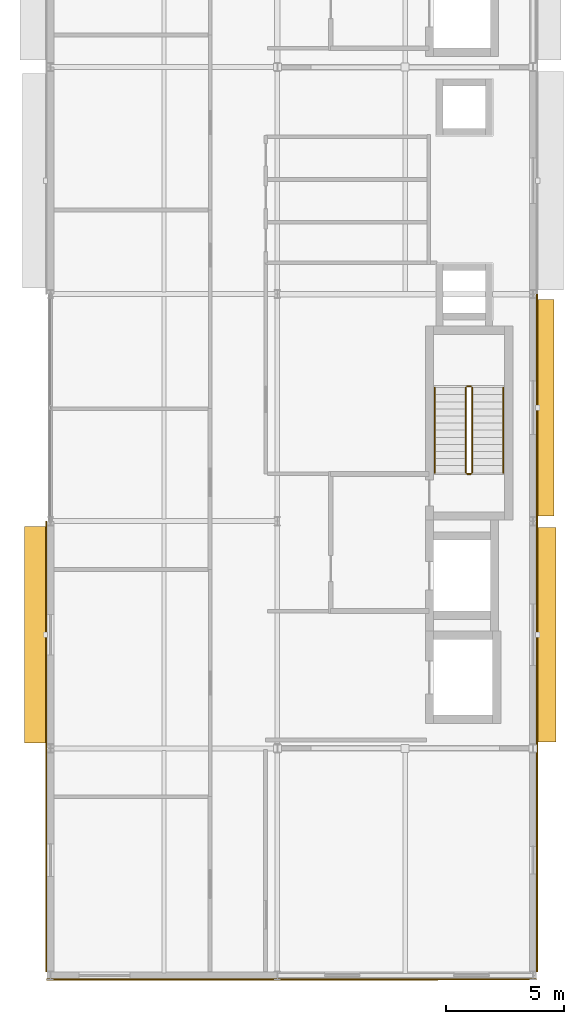
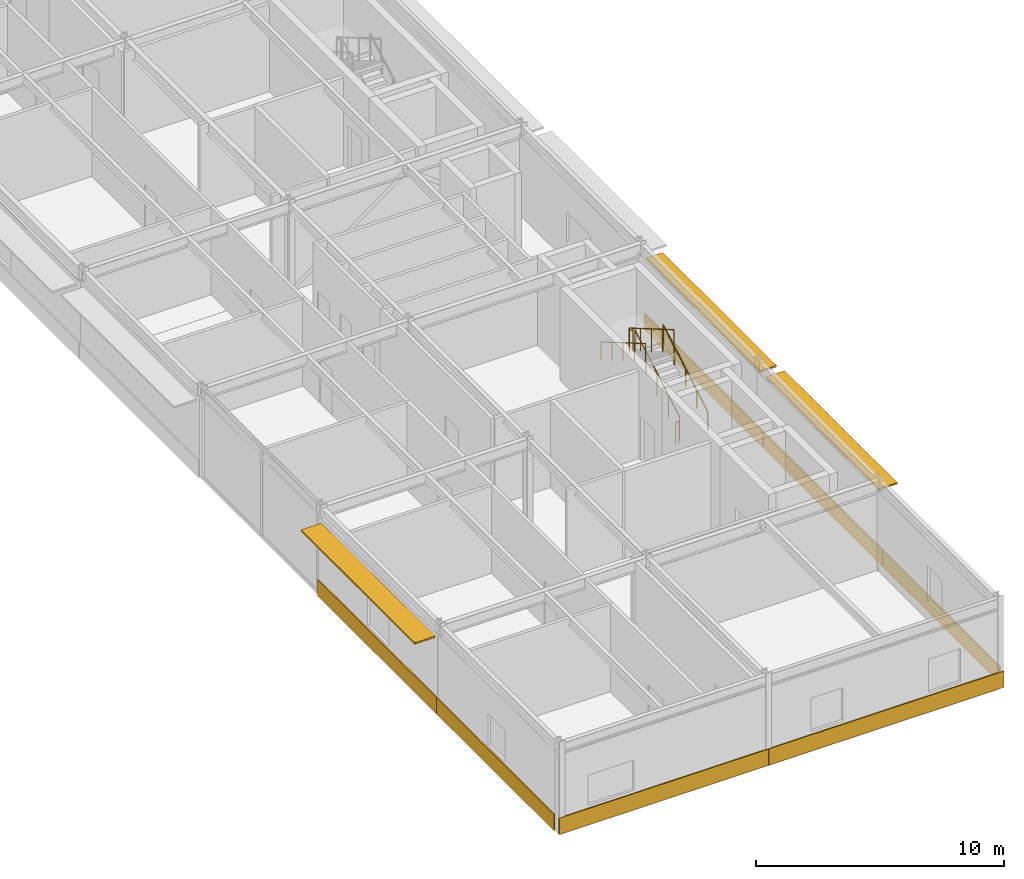
# One storey, part 15 of 17: 7 coverings, 6 railings, 3 shading devices.
"""IFC4 building model written with IfcOpenShell, lengths in metres."""

import ifcopenshell
import ifcopenshell.guid

model = None  # the IFC model being written
_history = None  # IfcOwnerHistory: only IFC2X3 demands one
_inside = {}  # id of a spatial element -> (the spatial element, [elements in it])
_under = {}  # id of a project, library or spatial element -> (it, [spatial elements below it])
_declared = {}  # id of a project -> (the project, [libraries it declares])
_typed = {}  # id of a type object -> (the type object, [elements of that type])
_made_of = {}  # id of a material, layer set ... -> (it, [elements and type objects made of it])


def new_model(schema):
    """Start an empty IFC model of exactly this schema.

    Asked for "IFC4X3", IfcOpenShell would pick the latest addendum, in which some entities
    have other attributes; the version numbers below select the first issue.
    IFC2X3 requires an IfcOwnerHistory on every rooted entity: one is made here for all.
    """
    global model, _history
    if schema == "IFC4X3":
        model = ifcopenshell.file(schema_version=(4, 3, 0, 0))
    else:
        model = ifcopenshell.file(schema=schema)
    _inside.clear()
    _under.clear()
    _declared.clear()
    _typed.clear()
    _made_of.clear()
    _history = None
    if model.schema == "IFC2X3":
        org = make("IfcOrganization", Name="unknown")
        user = make(
            "IfcPersonAndOrganization",
            ThePerson=make("IfcPerson", FamilyName="unknown"),
            TheOrganization=org,
        )
        app = make(
            "IfcApplication",
            ApplicationDeveloper=org,
            Version="unknown",
            ApplicationFullName="unknown",
            ApplicationIdentifier="unknown",
        )
        _history = make(
            "IfcOwnerHistory",
            OwningUser=user,
            OwningApplication=app,
            ChangeAction="ADDED",
            CreationDate=0,
        )
    return model


def make(cls, **values):
    """One entity of the class cls with the attributes given. An attribute that is None is left unset."""
    return model.create_entity(
        cls, **{name: value for name, value in values.items() if value is not None}
    )


def rooted(cls, **values):
    """An entity with a GlobalId (a new one), such as an element, a storey or a relation."""
    return make(cls, GlobalId=ifcopenshell.guid.new(), OwnerHistory=_history, **values)


def si_unit(unit_type, name, prefix=None):
    """IfcSIUnit, for example si_unit("LENGTHUNIT", "METRE", prefix="MILLI")."""
    return make("IfcSIUnit", UnitType=unit_type, Prefix=prefix, Name=name)


def assignment(units):
    """IfcUnitAssignment: the units of a project."""
    return None if units is None else make("IfcUnitAssignment", Units=units)


def point(xyz):
    """IfcCartesianPoint."""
    return None if xyz is None else make("IfcCartesianPoint", Coordinates=xyz)


def direction(xyz):
    """IfcDirection."""
    return None if xyz is None else make("IfcDirection", DirectionRatios=xyz)


def frame(location, z_axis=None, x_axis=None):
    """IfcAxis2Placement3D, a coordinate frame: its origin and axes. An axis left out is left unset."""
    return make(
        "IfcAxis2Placement3D",
        Location=point(location),
        Axis=direction(z_axis),
        RefDirection=direction(x_axis),
    )


def frame_2d(location, x_axis=None):
    """IfcAxis2Placement2D, a coordinate frame in the plane: its origin and x axis."""
    return make(
        "IfcAxis2Placement2D", Location=point(location), RefDirection=direction(x_axis)
    )


def origin():
    """The frame at (0, 0, 0) with its axes left unset."""
    return frame((0.0, 0.0, 0.0))


def origin_2d():
    """The frame at (0, 0) in the plane with its x axis left unset."""
    return frame_2d((0.0, 0.0))


def place(relative_to, where):
    """IfcLocalPlacement: puts the frame where relative to a parent placement (None: the world)."""
    return make(
        "IfcLocalPlacement", PlacementRelTo=relative_to, RelativePlacement=where
    )


def context(
    kind, dimensions, precision=None, world=None, true_north=None, identifier=None
):
    """IfcGeometricRepresentationContext, for example the 3D "Model" context."""
    return make(
        "IfcGeometricRepresentationContext",
        ContextIdentifier=identifier,
        ContextType=kind,
        CoordinateSpaceDimension=dimensions,
        Precision=precision,
        WorldCoordinateSystem=world,
        TrueNorth=true_north,
    )


def subcontext(parent, identifier, kind, view, scale=None):
    """IfcGeometricRepresentationSubContext, for example "Body" below "Model"."""
    return make(
        "IfcGeometricRepresentationSubContext",
        ContextIdentifier=identifier,
        ContextType=kind,
        ParentContext=parent,
        TargetScale=scale,
        TargetView=view,
    )


def project(units=None, contexts=None):
    """IfcProject with its units and contexts."""
    return rooted(
        "IfcProject",
        Name="project",
        RepresentationContexts=contexts,
        UnitsInContext=assignment(units),
    )


def spatial(cls, under=None, at=None, **own):
    """A site, building, storey or space (cls), placed at a placement, below another one or the project."""
    s = rooted(cls, ObjectPlacement=at, **own)
    if under is not None:
        _under.setdefault(under.id(), (under, []))[1].append(s)
    return s


def profile(cls, at=None, kind="AREA", **sizes):
    """A parametric profile (cls). Its sizes go by their IFC names, for example OverallWidth=200.0."""
    return make(cls, ProfileType=kind, Position=at, **sizes)


def rectangle(**sizes):
    """IfcRectangleProfileDef."""
    return profile("IfcRectangleProfileDef", **sizes)


def circle(**sizes):
    """IfcCircleProfileDef."""
    return profile("IfcCircleProfileDef", **sizes)


def extrude(swept, where, along, depth):
    """IfcExtrudedAreaSolid: the profile swept, set in the frame where, extruded along a direction by depth."""
    return make(
        "IfcExtrudedAreaSolid",
        SweptArea=swept,
        Position=where,
        ExtrudedDirection=direction(along),
        Depth=depth,
    )


def shape(context_of_items, identifier, shape_type, items):
    """IfcShapeRepresentation: the items that make up one representation, for example the "Body"."""
    return make(
        "IfcShapeRepresentation",
        ContextOfItems=context_of_items,
        RepresentationIdentifier=identifier,
        RepresentationType=shape_type,
        Items=items,
    )


def material(Name=None, Category=None):
    """IfcMaterial."""
    return make("IfcMaterial", Name=Name, Category=Category)


def layer(
    of_material, thickness, ventilated=None, Name=None, Category=None, Priority=None
):
    """IfcMaterialLayer: one layer of a wall or slab, of a material (None: an air gap)."""
    return make(
        "IfcMaterialLayer",
        Material=of_material,
        LayerThickness=thickness,
        IsVentilated=ventilated,
        Name=Name,
        Category=Category,
        Priority=Priority,
    )


def layer_set(layers, Name=None):
    """IfcMaterialLayerSet."""
    return make("IfcMaterialLayerSet", MaterialLayers=layers, LayerSetName=Name)


def made_of(thing, what):
    """Note that an element or type object is made of a material, layer set ...; save() writes the relation."""
    if what is not None:
        _made_of.setdefault(what.id(), (what, []))[1].append(thing)
    return thing


def type_object(cls, material=None, **own):
    """A type object (cls), such as IfcWallType, which elements share."""
    return made_of(rooted(cls, **own), material)


def element(
    cls,
    number,
    at=None,
    inside=None,
    cuts=None,
    type_object=None,
    material=None,
    context=None,
    identifier="Body",
    shape_type=None,
    held_by="IfcProductDefinitionShape",
    body=None,
    shapes=None,
    **own,
):
    """One element of the class cls, such as IfcWall. Its Tag is "e" and its number.

    at: its placement. inside: the storey or other place that contains it. cuts: it is an
    opening in that element (IfcRelVoidsElement). A single representation is given by context,
    identifier, shape_type and body (its items); several are given by shapes. held_by: the class
    of the entity that holds the representations. save() writes the other relations.
    """
    e = rooted(cls, Tag="e%d" % number, ObjectPlacement=at, **own)
    if body is not None:
        shapes = [shape(context, identifier, shape_type, body)]
    if shapes is not None:
        e.Representation = make(held_by, Representations=shapes)
    if inside is not None:
        _inside.setdefault(inside.id(), (inside, []))[1].append(e)
    if cuts is not None:
        rooted(
            "IfcRelVoidsElement", RelatingBuildingElement=cuts, RelatedOpeningElement=e
        )
    if type_object is not None:
        _typed.setdefault(type_object.id(), (type_object, []))[1].append(e)
    return made_of(e, material)


def aggregate(whole, parts):
    """IfcRelAggregates: a whole, such as a stair, and the parts it consists of."""
    return rooted("IfcRelAggregates", RelatingObject=whole, RelatedObjects=parts)


def save(model, path):
    """Write the relations noted so far, then the file.

    IfcRelAggregates (storeys below a building ...), IfcRelContainedInSpatialStructure (elements
    in a storey), IfcRelDefinesByType, IfcRelAssociatesMaterial and IfcRelDeclares: one each for
    every whole, place, type object, material and project.
    """
    for whole, parts in _under.values():
        aggregate(whole, parts)
    for where, things in _inside.values():
        rooted(
            "IfcRelContainedInSpatialStructure",
            RelatedElements=things,
            RelatingStructure=where,
        )
    for kind, things in _typed.values():
        rooted("IfcRelDefinesByType", RelatedObjects=things, RelatingType=kind)
    for what, things in _made_of.values():
        rooted("IfcRelAssociatesMaterial", RelatedObjects=things, RelatingMaterial=what)
    for by, libraries in _declared.values():
        rooted("IfcRelDeclares", RelatingContext=by, RelatedDefinitions=libraries)
    model.write(path)


model = new_model("IFC4")

# Units and contexts
model_context = context("Model", 3, precision=1e-05, world=origin(), true_north=direction((0.0, 1.0)))
body_context = subcontext(model_context, "Body", "Model", "MODEL_VIEW")
ifc_project = project(units=[si_unit("LENGTHUNIT", "METRE"), si_unit("AREAUNIT", "SQUARE_METRE"), si_unit("VOLUMEUNIT", "CUBIC_METRE"), si_unit("PLANEANGLEUNIT", "RADIAN"), si_unit("MASSUNIT", "GRAM", prefix="KILO")], contexts=[model_context])

# Site, building, storey
site_placement = place(None, origin())
site = spatial("IfcSite", under=ifc_project, at=site_placement, CompositionType="ELEMENT")
building_placement = place(site_placement, origin())
building = spatial("IfcBuilding", under=site, at=building_placement, Name="Almandine Court Research Institute", CompositionType="ELEMENT")
storey_placement = place(building_placement, frame((0.0, 0.0, 32.550048828125)))
storey = spatial("IfcBuildingStorey", under=building, at=storey_placement, Name="L07", CompositionType="ELEMENT", Elevation=32.550048828125)

# Coverings
ifc_material_1 = material(Name="Extruded Cream-Ochre Seismic Terracotta Spandrel", Category="masonry")
ifc_layer_1 = layer(ifc_material_1, 0.054931640625)
ifc_layer_set_1 = layer_set([ifc_layer_1], Name="Extruded Cream-Ochre Seismic Terracotta Spandrel")
covering_type = type_object("IfcCoveringType", Name="Cov-CLAD-TERR", PredefinedType="CLADDING", material=ifc_layer_set_1)
covering_1_placement = place(storey_placement, frame((153.428955078125, 10.873046875, 0.02001953125), z_axis=(0.0, 0.0, 1.0), x_axis=(0.0, 1.0, 0.0)))
element("IfcCovering", 1, at=covering_1_placement, inside=storey, type_object=covering_type, Name="L07 Facade Spandrel Cladding Band 214", PredefinedType="CLADDING", context=body_context, shape_type="SweptSolid", body=[
    extrude(rectangle(XDim=9.447021484375, YDim=0.054931640625, at=origin_2d()), origin(), (0.0, 0.0, 1.0), 0.800048828125),
])
for number, where, z_axis, x_axis, name in (
    (2, (153.428955078125, 20.39990234375, 0.02001953125), (0.0, 0.0, 1.0), (0.0, 1.0, 0.0), "L07 Facade Spandrel Cladding Band 215"),
    (3, (174.1708984375, 30.0, 0.02001953125), (0.0, 0.0, 1.0), (0.0, -1.0, 0.0), "L07 Facade Spandrel Cladding Band 223"),
    (4, (174.1708984375, 20.39990234375, 0.02001953125), (0.0, 0.0, 1.0), (0.0, -1.0, 0.0), "L07 Facade Spandrel Cladding Band 224"),
):
    element("IfcCovering", number, at=place(storey_placement, frame(where, z_axis=z_axis, x_axis=x_axis)), inside=storey, type_object=covering_type, Name=name, PredefinedType="CLADDING", context=body_context, shape_type="SweptSolid", body=[
        extrude(rectangle(XDim=9.592041015625, YDim=0.054931640625, at=origin_2d()), origin(), (0.0, 0.0, 1.0), 0.800048828125),
    ])
covering_2_placement = place(storey_placement, frame((174.1708984375, 10.873046875, 0.02001953125), z_axis=(0.0, 0.0, 1.0), x_axis=(0.0, -1.0, 0.0)))
element("IfcCovering", 5, at=covering_2_placement, inside=storey, type_object=covering_type, Name="L07 Facade Spandrel Cladding Band 225", PredefinedType="CLADDING", context=body_context, shape_type="SweptSolid", body=[
    extrude(rectangle(XDim=9.447021484375, YDim=0.054931640625, at=origin_2d()), origin(), (0.0, 0.0, 1.0), 0.800048828125),
])
covering_3_placement = place(storey_placement, frame((168.675048828125, 5.830078125, 0.02001953125), z_axis=(0.0, 0.0, 1.0), x_axis=(-1.0, 0.0, 0.0)))
element("IfcCovering", 6, at=covering_3_placement, inside=storey, type_object=covering_type, Name="L07 Facade Spandrel Cladding Band 226", PredefinedType="CLADDING", context=body_context, shape_type="SweptSolid", body=[
    extrude(rectangle(XDim=10.94091796875, YDim=0.054931640625, at=origin_2d()), origin(), (0.0, 0.0, 1.0), 0.800048828125),
])
covering_4_placement = place(storey_placement, frame((158.325927734375, 5.830078125, 0.02001953125), z_axis=(0.0, 0.0, 1.0), x_axis=(-1.0, 0.0, 0.0)))
element("IfcCovering", 7, at=covering_4_placement, inside=storey, type_object=covering_type, Name="L07 Facade Spandrel Cladding Band 227", PredefinedType="CLADDING", context=body_context, shape_type="SweptSolid", body=[
    extrude(rectangle(XDim=9.740966796875, YDim=0.054931640625, at=origin_2d()), origin(), (0.0, 0.0, 1.0), 0.800048828125),
])

# Railings
ifc_material_2 = material(Name="Powder-Coated Steel Stair and Atrium Balustrade", Category="steel")
railing_type_1 = type_object("IfcRailingType", Name="Rail-GUARD-INT", PredefinedType="BALUSTRADE", material=ifc_material_2)
railing_1_placement = place(storey_placement, frame((171.429931640625, 27.25, 0.175048828125)))
element("IfcRailing", 8, at=railing_1_placement, inside=storey, type_object=railing_type_1, Name="L07 ST-07 stair guard 1", PredefinedType="BALUSTRADE", context=body_context, shape_type="SweptSolid", body=[
    extrude(circle(Radius=0.02392578125, at=origin_2d()), frame((0.0, 0.0, 1.09619140625), z_axis=(0.0, 0.863800146258, 0.503834603144), x_axis=(-1.0, 0.0, 0.0)), (0.0, 0.0, 1.0), 4.167724609375),
    extrude(circle(Radius=0.02099609375, at=origin_2d()), origin(), (0.0, 0.0, 1.0), 1.072021484375),
    extrude(circle(Radius=0.02099609375, at=origin_2d()), frame((0.0, 0.89990234375, 0.52490234375)), (0.0, 0.0, 1.0), 1.072021484375),
    extrude(circle(Radius=0.02099609375, at=origin_2d()), frame((0.0, 1.800048828125, 1.0498046875)), (0.0, 0.0, 1.0), 1.072021484375),
    extrude(circle(Radius=0.02099609375, at=origin_2d()), frame((0.0, 2.7001953125, 1.574951171875)), (0.0, 0.0, 1.0), 1.072021484375),
    extrude(circle(Radius=0.02099609375, at=origin_2d()), frame((0.0, 3.60009765625, 2.099853515625)), (0.0, 0.0, 1.0), 1.072021484375),
])
railing_2_placement = place(storey_placement, frame((171.3798828125, 30.89990234375, 2.27490234375)))
element("IfcRailing", 9, at=railing_2_placement, inside=storey, type_object=railing_type_1, Name="L07 ST-07 stair guard 2", PredefinedType="BALUSTRADE", context=body_context, shape_type="SweptSolid", body=[
    extrude(circle(Radius=0.02392578125, at=origin_2d()), frame((0.0, 0.0, 1.09619140625), z_axis=(-1.0, 0.0, 0.0), x_axis=(0.0, -1.0, 0.0)), (0.0, 0.0, 1.0), 0.159912109375),
    extrude(circle(Radius=0.02099609375, at=origin_2d()), origin(), (0.0, 0.0, 1.0), 1.072021484375),
    extrude(circle(Radius=0.02099609375, at=origin_2d()), frame((-0.159912109375, 0.0, 0.0)), (0.0, 0.0, 1.0), 1.072021484375),
])
railing_3_placement = place(storey_placement, frame((171.169921875, 30.85009765625, 2.449951171875)))
element("IfcRailing", 10, at=railing_3_placement, inside=storey, type_object=railing_type_1, Name="L07 ST-07 stair guard 3", PredefinedType="BALUSTRADE", context=body_context, shape_type="SweptSolid", body=[
    extrude(circle(Radius=0.02392578125, at=origin_2d()), frame((0.0, 0.0, 1.09619140625), z_axis=(0.0, -0.863774651768, 0.503878309678), x_axis=(1.0, 0.0, 0.0)), (0.0, 0.0, 1.0), 4.16796875),
    extrude(circle(Radius=0.02099609375, at=origin_2d()), origin(), (0.0, 0.0, 1.0), 1.072021484375),
    extrude(circle(Radius=0.02099609375, at=origin_2d()), frame((0.0, -0.89990234375, 0.52490234375)), (0.0, 0.0, 1.0), 1.072021484375),
    extrude(circle(Radius=0.02099609375, at=origin_2d()), frame((0.0, -1.800048828125, 1.050048828125)), (0.0, 0.0, 1.0), 1.072021484375),
    extrude(circle(Radius=0.02099609375, at=origin_2d()), frame((0.0, -2.7001953125, 1.5751953125)), (0.0, 0.0, 1.0), 1.072021484375),
    extrude(circle(Radius=0.02099609375, at=origin_2d()), frame((0.0, -3.60009765625, 2.10009765625)), (0.0, 0.0, 1.0), 1.072021484375),
])
railing_4_placement = place(storey_placement, frame((171.3798828125, 27.199951171875, 0.0)))
element("IfcRailing", 11, at=railing_4_placement, inside=storey, type_object=railing_type_1, Name="L07 ST-07 stair guard 4", PredefinedType="BALUSTRADE", context=body_context, shape_type="SweptSolid", body=[
    extrude(circle(Radius=0.02392578125, at=origin_2d()), frame((0.0, 0.0, 1.09619140625), z_axis=(-1.0, 0.0, 0.0), x_axis=(0.0, -1.0, 0.0)), (0.0, 0.0, 1.0), 0.159912109375),
    extrude(circle(Radius=0.02099609375, at=origin_2d()), origin(), (0.0, 0.0, 1.0), 1.072021484375),
    extrude(circle(Radius=0.02099609375, at=origin_2d()), frame((-0.159912109375, 0.0, 0.0)), (0.0, 0.0, 1.0), 1.072021484375),
])
ifc_material_3 = material(Name="Brushed Stainless Steel Wall Handrail", Category="steel")
railing_type_2 = type_object("IfcRailingType", Name="Rail-HAND-INT", PredefinedType="HANDRAIL", material=ifc_material_3)
railing_5_placement = place(storey_placement, frame((172.75, 27.25, 0.175048828125)))
element("IfcRailing", 12, at=railing_5_placement, inside=storey, type_object=railing_type_2, Name="L07 ST-07 stair handrail 1", PredefinedType="HANDRAIL", context=body_context, shape_type="SweptSolid", body=[
    extrude(circle(Radius=0.02392578125, at=origin_2d()), frame((0.0, 0.0, 0.8759765625), z_axis=(0.0, 0.863800146258, 0.503834603144), x_axis=(-1.0, 0.0, 0.0)), (0.0, 0.0, 1.0), 4.167724609375),
    extrude(circle(Radius=0.02099609375, at=origin_2d()), origin(), (0.0, 0.0, 1.0), 0.851806640625),
    extrude(circle(Radius=0.02099609375, at=origin_2d()), frame((0.0, 0.89990234375, 0.52490234375)), (0.0, 0.0, 1.0), 0.851806640625),
    extrude(circle(Radius=0.02099609375, at=origin_2d()), frame((0.0, 1.800048828125, 1.0498046875)), (0.0, 0.0, 1.0), 0.851806640625),
    extrude(circle(Radius=0.02099609375, at=origin_2d()), frame((0.0, 2.7001953125, 1.574951171875)), (0.0, 0.0, 1.0), 0.851806640625),
    extrude(circle(Radius=0.02099609375, at=origin_2d()), frame((0.0, 3.60009765625, 2.099853515625)), (0.0, 0.0, 1.0), 0.851806640625),
])
railing_6_placement = place(storey_placement, frame((169.85009765625, 30.85009765625, 2.449951171875)))
element("IfcRailing", 13, at=railing_6_placement, inside=storey, type_object=railing_type_2, Name="L07 ST-07 stair handrail 2", PredefinedType="HANDRAIL", context=body_context, shape_type="SweptSolid", body=[
    extrude(circle(Radius=0.02392578125, at=origin_2d()), frame((0.0, 0.0, 0.8759765625), z_axis=(0.0, -0.863774651768, 0.503878309678), x_axis=(1.0, 0.0, 0.0)), (0.0, 0.0, 1.0), 4.16796875),
    extrude(circle(Radius=0.02099609375, at=origin_2d()), origin(), (0.0, 0.0, 1.0), 0.851806640625),
    extrude(circle(Radius=0.02099609375, at=origin_2d()), frame((0.0, -0.89990234375, 0.52490234375)), (0.0, 0.0, 1.0), 0.851806640625),
    extrude(circle(Radius=0.02099609375, at=origin_2d()), frame((0.0, -1.800048828125, 1.050048828125)), (0.0, 0.0, 1.0), 0.851806640625),
    extrude(circle(Radius=0.02099609375, at=origin_2d()), frame((0.0, -2.7001953125, 1.5751953125)), (0.0, 0.0, 1.0), 0.851806640625),
    extrude(circle(Radius=0.02099609375, at=origin_2d()), frame((0.0, -3.60009765625, 2.10009765625)), (0.0, 0.0, 1.0), 0.851806640625),
])

# Shading devices
ifc_material_4 = material(Name="Precast GFRC Chhajja Sunshade and Acoustic Louvre", Category="concrete")
ifc_layer_2 = layer(ifc_material_4, 0.080078125)
ifc_layer_set_2 = layer_set([ifc_layer_2], Name="Precast GFRC Chhajja Sunshade and Acoustic Louvre")
shading_device_type_1 = type_object("IfcShadingDeviceType", Name="Shd-SD-01", PredefinedType="AWNING", material=ifc_layer_set_2)
shading_device_1_placement = place(storey_placement, frame((152.989990234375, 20.39990234375, 3.62890625), z_axis=(0.0, 0.0, 1.0), x_axis=(0.0, 1.0, 0.0)))
element("IfcShadingDevice", 14, at=shading_device_1_placement, inside=storey, type_object=shading_device_type_1, Name="L07 Projecting Chhajja Sunshade 149", PredefinedType="AWNING", context=body_context, shape_type="SweptSolid", body=[
    extrude(rectangle(XDim=9.162109375, YDim=0.949951171875, at=origin_2d()), origin(), (0.0, 0.0, 1.0), 0.080078125),
])
ifc_layer_3 = layer(ifc_material_4, 0.080078125)
ifc_layer_set_3 = layer_set([ifc_layer_3], Name="Precast GFRC Chhajja Sunshade and Acoustic Louvre")
shading_device_type_2 = type_object("IfcShadingDeviceType", Name="Shd-SD-31", PredefinedType="AWNING", material=ifc_layer_set_3)
shading_device_2_placement = place(storey_placement, frame((174.56005859375, 20.39990234375, 3.618896484375), z_axis=(0.0, 0.0, 1.0), x_axis=(0.0, -1.0, 0.0)))
element("IfcShadingDevice", 15, at=shading_device_2_placement, inside=storey, type_object=shading_device_type_2, Name="L07 Projecting Chhajja Sunshade 158", PredefinedType="AWNING", context=body_context, shape_type="SweptSolid", body=[
    extrude(rectangle(XDim=9.08203125, YDim=0.85009765625, at=origin_2d()), origin(), (0.0, 0.0, 1.0), 0.080078125),
])
ifc_layer_4 = layer(ifc_material_4, 0.080078125)
ifc_layer_set_4 = layer_set([ifc_layer_4], Name="Precast GFRC Chhajja Sunshade and Acoustic Louvre")
shading_device_type_3 = type_object("IfcShadingDeviceType", Name="Shd-SD-33", PredefinedType="AWNING", material=ifc_layer_set_4)
shading_device_3_placement = place(storey_placement, frame((174.510009765625, 30.0, 3.618896484375), z_axis=(0.0, 0.0, 1.0), x_axis=(0.0, -1.0, 0.0)))
element("IfcShadingDevice", 16, at=shading_device_3_placement, inside=storey, type_object=shading_device_type_3, Name="L07 Projecting Chhajja Sunshade 157", PredefinedType="AWNING", context=body_context, shape_type="SweptSolid", body=[
    extrude(rectangle(XDim=9.162109375, YDim=0.75, at=origin_2d()), origin(), (0.0, 0.0, 1.0), 0.080078125),
])

save(model, "model.ifc")
